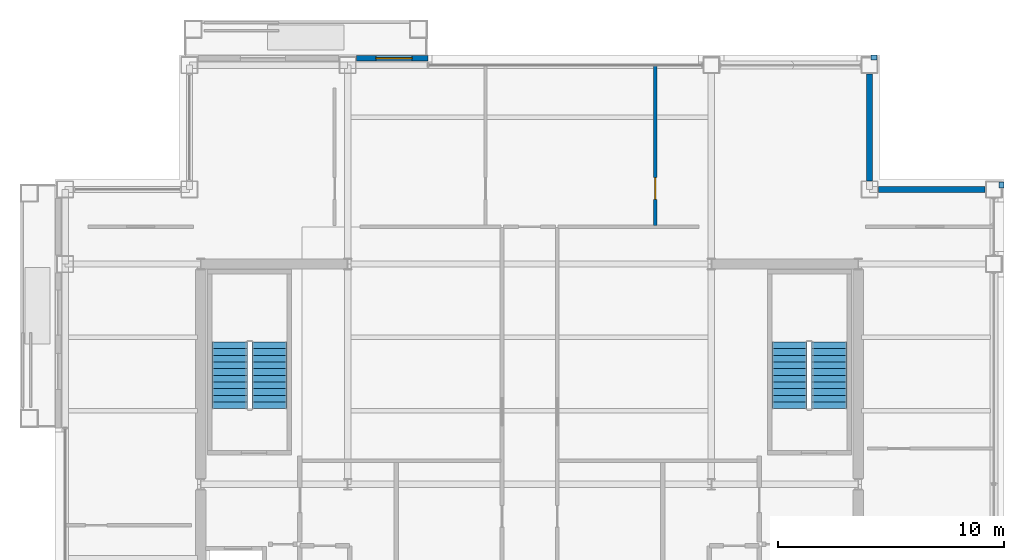
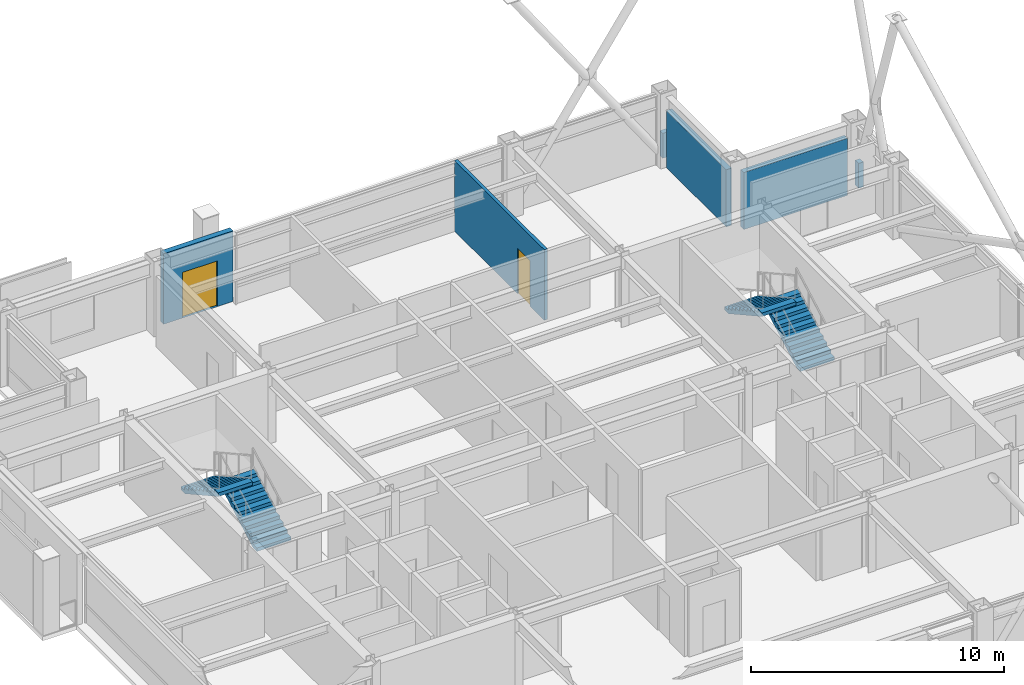
# One storey, part 28 of 30: 6 walls, 4 stair flights, 2 doors, 2 openings, 2 elements without a shape of their own.
"""IFC4 building model written with IfcOpenShell, lengths in metres."""

from ifc_helpers import new_model, si_unit, direction, frame, frame_2d, origin, place, context, subcontext, project, spatial, polyline, rectangle, outline, extrude, material, layer, layer_set, type_object, element, fill, aggregate, save


model = new_model("IFC4")

# Units and contexts
model_context = context("Model", 3, precision=1e-05, world=origin(), true_north=direction((0.0, 1.0)))
body_context = subcontext(model_context, "Body", "Model", "MODEL_VIEW")
ifc_project = project(units=[si_unit("LENGTHUNIT", "METRE"), si_unit("AREAUNIT", "SQUARE_METRE"), si_unit("VOLUMEUNIT", "CUBIC_METRE"), si_unit("PLANEANGLEUNIT", "RADIAN"), si_unit("MASSUNIT", "GRAM", prefix="KILO")], contexts=[model_context])

# Site, building, storey
site_placement = place(None, origin())
site = spatial("IfcSite", under=ifc_project, at=site_placement, CompositionType="ELEMENT")
building_placement = place(site_placement, origin())
building = spatial("IfcBuilding", under=site, at=building_placement, Name="Brelmoor Portico Tower", CompositionType="ELEMENT")
storey_placement = place(building_placement, frame((0.0, 0.0, 173.10009765625)))
storey = spatial("IfcBuildingStorey", under=building, at=storey_placement, Name="L45", CompositionType="ELEMENT", Elevation=173.10009765625)

# Wall, opening, door
ifc_material_1 = material(Name="Precast Concrete C40 Insulated Facade Wall", Category="concrete")
ifc_layer_1 = layer(ifc_material_1, 0.25)
ifc_layer_set_1 = layer_set([ifc_layer_1], Name="Precast Concrete C40 Insulated Facade Wall")
wall_type_1 = type_object("IfcWallType", Name="WL-EXT-250", PredefinedType="STANDARD", material=ifc_layer_set_1)
wall_1_placement = place(storey_placement, frame((-7.655029296875, 18.860107421875, 0.0), z_axis=(0.0, 0.0, 1.0), x_axis=(1.0, 0.0, 0.0)))
wall_1 = element("IfcWall", 1, at=wall_1_placement, inside=storey, type_object=wall_type_1, Name="L45 Loggia Threshold Wall N-2", PredefinedType="STANDARD", context=body_context, shape_type="SweptSolid", body=[
    extrude(rectangle(XDim=3.155029296875, YDim=0.25, at=frame_2d((1.57763671875, 0.0))), origin(), (0.0, 0.0, 1.0), 3.39990234375),
])
opening_1_placement = place(wall_1_placement, frame((0.85498046875, 0.0, 0.0)))
opening_1 = element("IfcOpeningElement", 2, at=opening_1_placement, cuts=wall_1, Name="Opening D-TB1", PredefinedType="OPENING", context=body_context, shape_type="SweptSolid", body=[
    extrude(rectangle(XDim=1.60009765625, YDim=2.199951171875, at=frame_2d((0.800048828125, 1.10009765625))), frame((0.0, 0.135009765625, 0.0), z_axis=(0.0, -1.0, 0.0), x_axis=(1.0, 0.0, 0.0)), (0.0, 0.0, 1.0), 0.27001953125),
])
ifc_material_2 = material(Name="Double-Leaf Thermally Broken Terrace Door", Category="aluminium")
door_type_1 = type_object("IfcDoorType", Name="DR-BALCONY-1600", OperationType="NOTDEFINED", PredefinedType="DOOR", material=ifc_material_2)
door_1_placement = place(opening_1_placement, origin())
door_1 = element("IfcDoor", 3, at=door_1_placement, inside=storey, type_object=door_type_1, Name="D-1934 L45 Tree Balcony Double Door N", OperationType="DOUBLE_DOOR_SINGLE_SWING", OverallHeight=2.199951171875, OverallWidth=1.60009765625, PredefinedType="DOOR", context=body_context, shape_type="SweptSolid", body=[
    extrude(rectangle(XDim=1.60009765625, YDim=2.199951171875, at=frame_2d((0.800048828125, 1.10009765625))), frame((0.0, 0.02490234375, 0.0), z_axis=(0.0, -1.0, 0.0), x_axis=(1.0, 0.0, 0.0)), (0.0, 0.0, 1.0), 0.050048828125),
])
fill(opening_1, door_1)

# Walls
for number, where, z_axis, x_axis, name in (
    (4, (15.43505859375, 13.050048828125, 0.0), (0.0, 0.0, 1.0), (1.0, 0.0, 0.0), "L45 Corner Notch Facade Wall NNEH1"),
    (5, (15.050048828125, 13.43505859375, 0.0), (0.0, 0.0, 1.0), (0.0, 1.0, 0.0), "L45 Corner Notch Facade Wall NNEV1"),
):
    element("IfcWall", number, at=place(storey_placement, frame(where, z_axis=z_axis, x_axis=x_axis)), inside=storey, type_object=wall_type_1, Name=name, PredefinedType="STANDARD", context=body_context, shape_type="SweptSolid", body=[
        extrude(rectangle(XDim=4.72998046875, YDim=0.25, at=frame_2d((2.364990234375, 0.0))), origin(), (0.0, 0.0, 1.0), 2.75),
    ])
ifc_material_3 = material(Name="Concrete C40 Parapet Upstand", Category="concrete")
ifc_layer_2 = layer(ifc_material_3, 0.219970703125)
ifc_layer_set_2 = layer_set([ifc_layer_2], Name="Concrete C40 Parapet Upstand")
wall_type_2 = type_object("IfcWallType", Name="WL-PARAPET-220", PredefinedType="PARAPET", material=ifc_layer_set_2)
for number, where, z_axis, x_axis, name in (
    (6, (15.1201171875, 18.889892578125, 0.0), (0.0, 0.0, 1.0), (1.0, 0.0, 0.0), "L45 Chamfer Vertex Parapet Pier NE1"),
    (7, (20.889892578125, 13.1201171875, 0.0), (0.0, 0.0, 1.0), (0.0, 1.0, 0.0), "L45 Chamfer Vertex Parapet Pier NE2"),
):
    element("IfcWall", number, at=place(storey_placement, frame(where, z_axis=z_axis, x_axis=x_axis)), inside=storey, type_object=wall_type_2, Name=name, PredefinedType="PARAPET", context=body_context, shape_type="SweptSolid", body=[
        extrude(rectangle(XDim=0.269775390625, YDim=0.219970703125, at=frame_2d((0.134765625, 0.0))), origin(), (0.0, 0.0, 1.0), 1.199951171875),
    ])

# Wall, opening, door
ifc_material_4 = material(Name="Insulated Stud Suite Partition", Category="gypsum")
ifc_layer_3 = layer(ifc_material_4, 0.139892578125)
ifc_layer_set_3 = layer_set([ifc_layer_3], Name="Insulated Stud Suite Partition")
wall_type_3 = type_object("IfcWallType", Name="WL-PART-140", PredefinedType="PARTITIONING", material=ifc_layer_set_3)
wall_2_placement = place(storey_placement, frame((5.56396484375, 11.4599609375, 0.0), z_axis=(0.0, 0.0, 1.0), x_axis=(0.0, 1.0, 0.0)))
wall_2 = element("IfcWall", 8, at=wall_2_placement, inside=storey, type_object=wall_type_3, Name="L45 North Suite Partition 3", PredefinedType="PARTITIONING", context=body_context, shape_type="SweptSolid", body=[
    extrude(rectangle(XDim=7.10009765625, YDim=0.139892578125, at=frame_2d((3.550048828125, 0.0))), origin(), (0.0, 0.0, 1.0), 3.39990234375),
])
opening_2_placement = place(wall_2_placement, frame((1.14990234375, 0.0, 0.0)))
opening_2 = element("IfcOpeningElement", 9, at=opening_2_placement, cuts=wall_2, Name="Opening D-IN2", PredefinedType="OPENING", context=body_context, shape_type="SweptSolid", body=[
    extrude(rectangle(XDim=0.9599609375, YDim=2.179931640625, at=frame_2d((0.47998046875, 1.08984375))), frame((0.0, 0.079833984375, 0.0), z_axis=(0.0, -1.0, 0.0), x_axis=(1.0, 0.0, 0.0)), (0.0, 0.0, 1.0), 0.159912109375),
])
ifc_material_5 = material(Name="Lacquered Timber Suite Door", Category="wood")
door_type_2 = type_object("IfcDoorType", Name="DR-INT-950", OperationType="NOTDEFINED", PredefinedType="DOOR", material=ifc_material_5)
door_2_placement = place(opening_2_placement, origin())
door_2 = element("IfcDoor", 10, at=door_2_placement, inside=storey, type_object=door_type_2, Name="D-1926 L45 North Suite Connecting Door 3", OperationType="SINGLE_SWING_RIGHT", OverallHeight=2.179931640625, OverallWidth=0.9599609375, PredefinedType="DOOR", context=body_context, shape_type="SweptSolid", body=[
    extrude(rectangle(XDim=0.9599609375, YDim=2.179931640625, at=frame_2d((0.47998046875, 1.08984375))), frame((0.0, 0.02490234375, 0.0), z_axis=(0.0, -1.0, 0.0), x_axis=(1.0, 0.0, 0.0)), (0.0, 0.0, 1.0), 0.050048828125),
])
fill(opening_2, door_2)

# Stair, stair flights
ifc_material_6 = material(Name="Concrete C40", Category="concrete")
stair_type_1 = type_object("IfcStairType", Name="ST-CORE-W", PredefinedType="HALF_TURN_STAIR", material=ifc_material_6)
stair_1_placement = place(storey_placement, origin())
stair_1 = element("IfcStair", 11, at=stair_1_placement, inside=storey, type_object=stair_type_1, Name="L45 Protected Core Exit Stair ST-W", PredefinedType="HALF_TURN_STAIR")
stair_flight_type = type_object("IfcStairFlightType", Name="SF-CORE-1850", PredefinedType="STRAIGHT", material=ifc_material_6)
stair_flight_1_placement = place(storey_placement, frame((-11.510009765625, 3.35009765625, 0.0), z_axis=(0.0, 0.0, 1.0), x_axis=(0.0, 1.0, 0.0)))
stair_flight_1 = element("IfcStairFlight", 12, at=stair_flight_1_placement, type_object=stair_flight_type, Name="ST-W flight 1", NumberOfRisers=11, NumberOfTreads=10, PredefinedType="STRAIGHT", RiserHeight=0.163636364, TreadLength=0.295, context=body_context, shape_type="SweptSolid", body=[
    extrude(outline(polyline([(0.0, 0.0), (0.0, 0.16357421875), (0.294921875, 0.16357421875), (0.294921875, 0.327392578125), (0.590087890625, 0.327392578125), (0.590087890625, 0.490966796875), (0.885009765625, 0.490966796875), (0.885009765625, 0.654541015625), (1.179931640625, 0.654541015625), (1.179931640625, 0.818115234375), (1.47509765625, 0.818115234375), (1.47509765625, 0.98193359375), (1.77001953125, 0.98193359375), (1.77001953125, 1.1455078125), (2.06494140625, 1.1455078125), (2.06494140625, 1.30908203125), (2.360107421875, 1.30908203125), (2.360107421875, 1.47265625), (2.655029296875, 1.47265625), (2.655029296875, 1.636474609375), (2.949951171875, 1.636474609375), (2.949951171875, 1.800048828125), (2.949951171875, 1.46484375), (0.30908203125, 0.0), (0.0, 0.0)])), frame((0.0, 0.780029296875, 0.0), z_axis=(0.0, -1.0, 0.0), x_axis=(1.0, 0.0, 0.0)), (0.0, 0.0, 1.0), 1.56005859375),
])
stair_flight_2_placement = place(storey_placement, frame((-13.27001953125, 6.300048828125, 1.7998046875), z_axis=(0.0, 0.0, 1.0), x_axis=(0.0, -1.0, 0.0)))
stair_flight_2 = element("IfcStairFlight", 13, at=stair_flight_2_placement, type_object=stair_flight_type, Name="ST-W flight 2", NumberOfRisers=11, NumberOfTreads=10, PredefinedType="STRAIGHT", RiserHeight=0.163636364, TreadLength=0.295, context=body_context, shape_type="SweptSolid", body=[
    extrude(outline(polyline([(0.0, 0.0), (0.0, 0.16357421875), (0.294921875, 0.16357421875), (0.294921875, 0.327392578125), (0.590087890625, 0.327392578125), (0.590087890625, 0.490966796875), (0.885009765625, 0.490966796875), (0.885009765625, 0.654541015625), (1.179931640625, 0.654541015625), (1.179931640625, 0.818115234375), (1.47509765625, 0.818115234375), (1.47509765625, 0.98193359375), (1.77001953125, 0.98193359375), (1.77001953125, 1.1455078125), (2.06494140625, 1.1455078125), (2.06494140625, 1.30908203125), (2.360107421875, 1.30908203125), (2.360107421875, 1.47265625), (2.655029296875, 1.47265625), (2.655029296875, 1.636474609375), (2.949951171875, 1.636474609375), (2.949951171875, 1.800048828125), (2.949951171875, 1.46484375), (0.30908203125, 0.0), (0.0, 0.0)])), frame((0.0, 0.780029296875, 0.0), z_axis=(0.0, -1.0, 0.0), x_axis=(1.0, 0.0, 0.0)), (0.0, 0.0, 1.0), 1.56005859375),
])
aggregate(stair_1, [stair_flight_1, stair_flight_2])

stair_type_2 = type_object("IfcStairType", Name="ST-CORE-E", PredefinedType="HALF_TURN_STAIR", material=ifc_material_6)
stair_2_placement = place(storey_placement, origin())
stair_2 = element("IfcStair", 14, at=stair_2_placement, inside=storey, type_object=stair_type_2, Name="L45 Protected Core Exit Stair ST-E", PredefinedType="HALF_TURN_STAIR")
stair_flight_3_placement = place(storey_placement, frame((13.27001953125, 3.35009765625, 0.0), z_axis=(0.0, 0.0, 1.0), x_axis=(0.0, 1.0, 0.0)))
stair_flight_3 = element("IfcStairFlight", 15, at=stair_flight_3_placement, type_object=stair_flight_type, Name="ST-E flight 1", NumberOfRisers=11, NumberOfTreads=10, PredefinedType="STRAIGHT", RiserHeight=0.163636364, TreadLength=0.295, context=body_context, shape_type="SweptSolid", body=[
    extrude(outline(polyline([(0.0, 0.0), (0.0, 0.16357421875), (0.294921875, 0.16357421875), (0.294921875, 0.327392578125), (0.590087890625, 0.327392578125), (0.590087890625, 0.490966796875), (0.885009765625, 0.490966796875), (0.885009765625, 0.654541015625), (1.179931640625, 0.654541015625), (1.179931640625, 0.818115234375), (1.47509765625, 0.818115234375), (1.47509765625, 0.98193359375), (1.77001953125, 0.98193359375), (1.77001953125, 1.1455078125), (2.06494140625, 1.1455078125), (2.06494140625, 1.30908203125), (2.360107421875, 1.30908203125), (2.360107421875, 1.47265625), (2.655029296875, 1.47265625), (2.655029296875, 1.636474609375), (2.949951171875, 1.636474609375), (2.949951171875, 1.800048828125), (2.949951171875, 1.46484375), (0.30908203125, 0.0), (0.0, 0.0)])), frame((0.0, 0.780029296875, 0.0), z_axis=(0.0, -1.0, 0.0), x_axis=(1.0, 0.0, 0.0)), (0.0, 0.0, 1.0), 1.56005859375),
])
stair_flight_4_placement = place(storey_placement, frame((11.510009765625, 6.300048828125, 1.7998046875), z_axis=(0.0, 0.0, 1.0), x_axis=(0.0, -1.0, 0.0)))
stair_flight_4 = element("IfcStairFlight", 16, at=stair_flight_4_placement, type_object=stair_flight_type, Name="ST-E flight 2", NumberOfRisers=11, NumberOfTreads=10, PredefinedType="STRAIGHT", RiserHeight=0.163636364, TreadLength=0.295, context=body_context, shape_type="SweptSolid", body=[
    extrude(outline(polyline([(0.0, 0.0), (0.0, 0.16357421875), (0.294921875, 0.16357421875), (0.294921875, 0.327392578125), (0.590087890625, 0.327392578125), (0.590087890625, 0.490966796875), (0.885009765625, 0.490966796875), (0.885009765625, 0.654541015625), (1.179931640625, 0.654541015625), (1.179931640625, 0.818115234375), (1.47509765625, 0.818115234375), (1.47509765625, 0.98193359375), (1.77001953125, 0.98193359375), (1.77001953125, 1.1455078125), (2.06494140625, 1.1455078125), (2.06494140625, 1.30908203125), (2.360107421875, 1.30908203125), (2.360107421875, 1.47265625), (2.655029296875, 1.47265625), (2.655029296875, 1.636474609375), (2.949951171875, 1.636474609375), (2.949951171875, 1.800048828125), (2.949951171875, 1.46484375), (0.30908203125, 0.0), (0.0, 0.0)])), frame((0.0, 0.780029296875, 0.0), z_axis=(0.0, -1.0, 0.0), x_axis=(1.0, 0.0, 0.0)), (0.0, 0.0, 1.0), 1.56005859375),
])
aggregate(stair_2, [stair_flight_3, stair_flight_4])

save(model, "model.ifc")
